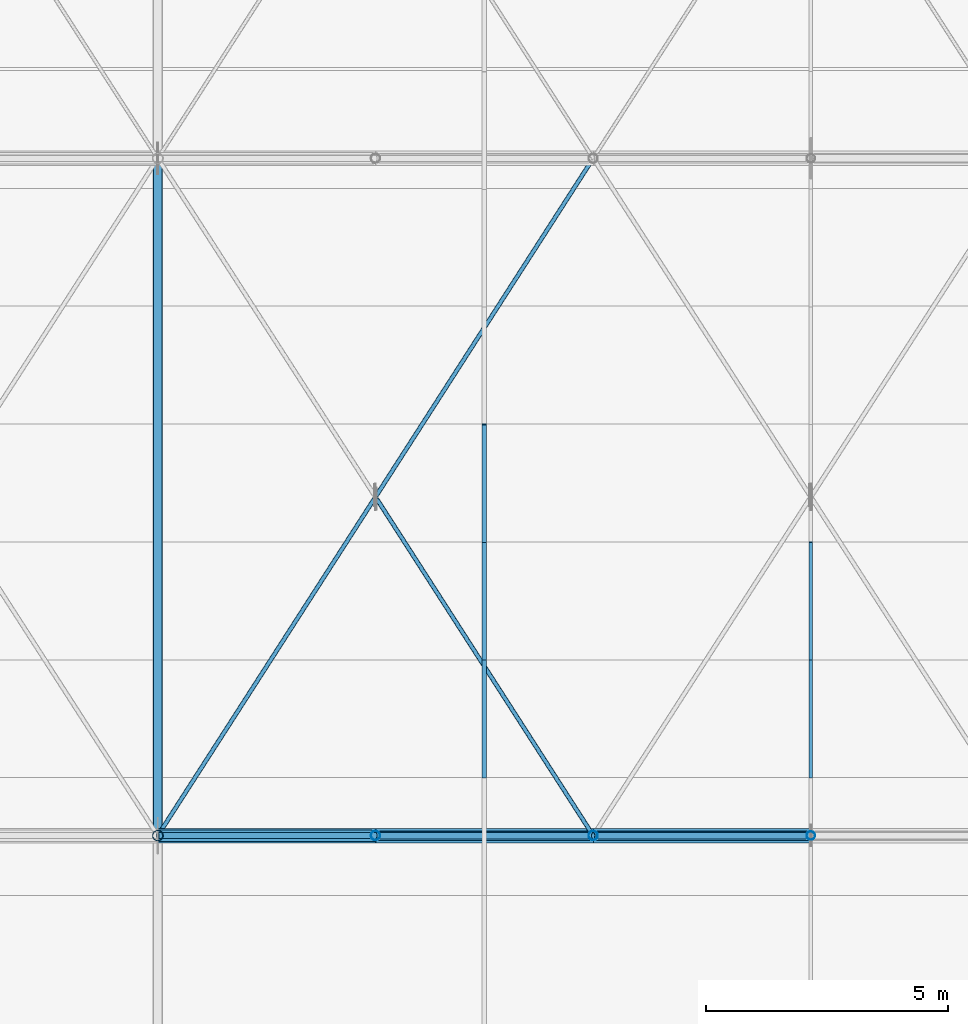
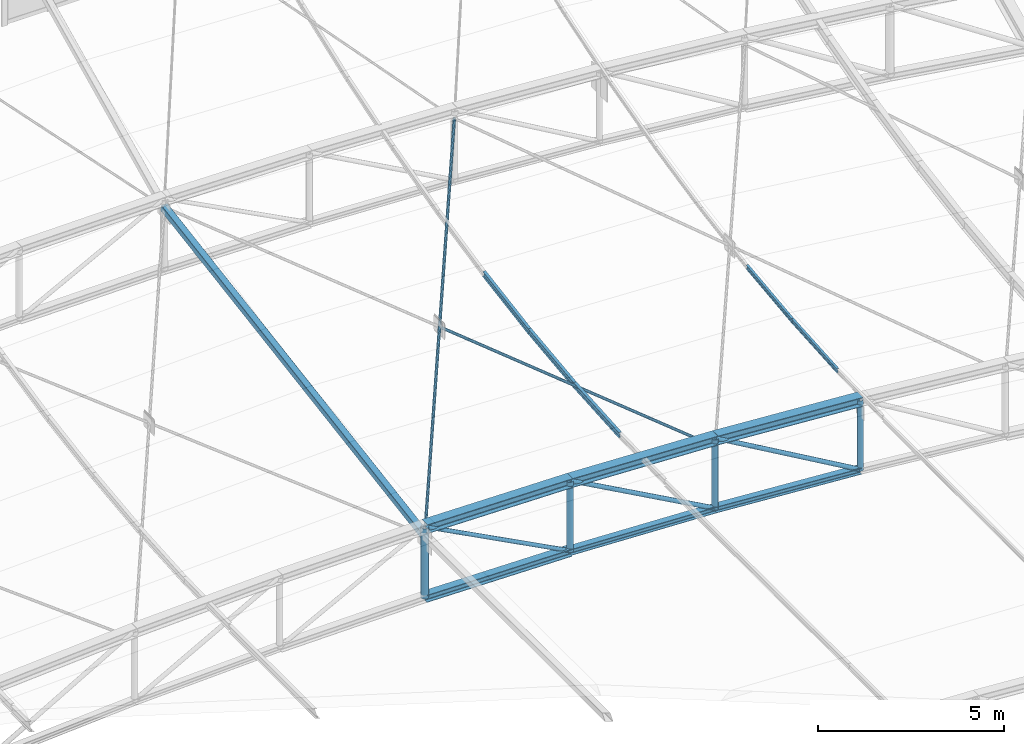
# One storey, part 179 of 262: 21 members.
"""IFC4 building model written with IfcOpenShell, lengths in metres."""

from ifc_helpers import new_model, si_unit, derived_unit, direction, frame, origin, origin_2d, place, context, subcontext, project, spatial, hollow_rectangle, hollow_circle, i_section, extrude, material, material_profile, profile_set, type_object, element, save


model = new_model("IFC4")

# Units and contexts
model_context = context("Model", 3, precision=1e-05, world=origin(), true_north=direction((0.0, 1.0)))
body_context = subcontext(model_context, "Body", "Model", "MODEL_VIEW")
ifc_project = project(units=[si_unit("LENGTHUNIT", "METRE"), si_unit("AREAUNIT", "SQUARE_METRE"), si_unit("VOLUMEUNIT", "CUBIC_METRE"), si_unit("PLANEANGLEUNIT", "RADIAN"), si_unit("MASSUNIT", "GRAM", prefix="KILO"), derived_unit("THERMALTRANSMITTANCEUNIT", [(si_unit("POWERUNIT", "WATT"), 1), (si_unit("LENGTHUNIT", "METRE"), -2), (si_unit("THERMODYNAMICTEMPERATUREUNIT", "KELVIN"), -1)])], contexts=[model_context])

# Site, building, storey
site_placement = place(None, origin())
site = spatial("IfcSite", under=ifc_project, at=site_placement, CompositionType="ELEMENT")
building_placement = place(site_placement, origin())
building = spatial("IfcBuilding", under=site, at=building_placement, Name="Almenara Railside Exhibition Hall", CompositionType="ELEMENT")
storey_placement = place(building_placement, frame((0.0, 0.0, 21.699951171875)))
storey = spatial("IfcBuildingStorey", under=building, at=storey_placement, Name="RF", CompositionType="ELEMENT", Elevation=21.699951171875)

# Members
ifc_material = material(Name="Structural steel S355JR", Category="steel")
ifc_material_profile_1 = material_profile(ifc_material, i_section(OverallWidth=0.239990234375, OverallDepth=0.239990234375, WebThickness=0.010009765625, FlangeThickness=0.01708984375, FilletRadius=0.02099609375, at=origin_2d()), Name="HEB 240")
ifc_profile_set_1 = profile_set([ifc_material_profile_1], Name="Structural steel S355JR")
member_type_1 = type_object("IfcMemberType", Name="Arched Crown Bottom Chord HEB 240 S355JR", PredefinedType="CHORD", material=ifc_profile_set_1)
member_1_placement = place(storey_placement, frame((165.0, 104.0, -7.38525390625), z_axis=(0.999908030213, 0.0, -0.013562120635), x_axis=(0.0, 1.0, 0.0)))
element("IfcMember", 1, at=member_1_placement, inside=storey, type_object=member_type_1, Name="MEM-BC-V2-05-06", PredefinedType="CHORD", context=body_context, shape_type="SweptSolid", body=[
    extrude(i_section(OverallWidth=0.239990234375, OverallDepth=0.239990234375, WebThickness=0.010009765625, FlangeThickness=0.01708984375, FilletRadius=0.02099609375, at=origin_2d()), origin(), (0.0, 0.0, 1.0), 4.50048828125),
])
ifc_material_profile_2 = material_profile(ifc_material, i_section(OverallWidth=0.300048828125, OverallDepth=0.300048828125, WebThickness=0.010986328125, FlangeThickness=0.01904296875, FilletRadius=0.027099609375, at=origin_2d()), Name="HEB 300")
ifc_profile_set_2 = profile_set([ifc_material_profile_2], Name="Structural steel S355JR")
member_type_2 = type_object("IfcMemberType", Name="Arched Inner Top Chord HEB 300 S355JR", PredefinedType="CHORD", material=ifc_profile_set_2)
member_2_placement = place(storey_placement, frame((165.0, 104.0, -5.085205078125), z_axis=(0.999908030213, 0.0, -0.013562120635), x_axis=(0.0, 1.0, 0.0)))
element("IfcMember", 2, at=member_2_placement, inside=storey, type_object=member_type_2, Name="MEM-TC-V2-05-06", PredefinedType="CHORD", context=body_context, shape_type="SweptSolid", body=[
    extrude(i_section(OverallWidth=0.300048828125, OverallDepth=0.300048828125, WebThickness=0.010986328125, FlangeThickness=0.01904296875, FilletRadius=0.027099609375, at=origin_2d()), origin(), (0.0, 0.0, 1.0), 4.50048828125),
])
member_3_placement = place(storey_placement, frame((169.5, 104.0, -5.146240234375), z_axis=(0.99917098071, 0.0, -0.04071057978), x_axis=(0.0, 1.0, 0.0)))
element("IfcMember", 3, at=member_3_placement, inside=storey, type_object=member_type_2, Name="MEM-TC-V2-05-07", PredefinedType="CHORD", context=body_context, shape_type="SweptSolid", body=[
    extrude(i_section(OverallWidth=0.300048828125, OverallDepth=0.300048828125, WebThickness=0.010986328125, FlangeThickness=0.01904296875, FilletRadius=0.027099609375, at=origin_2d()), origin(), (0.0, 0.0, 1.0), 4.503662109375),
])
member_4_placement = place(storey_placement, frame((174.0, 104.0, -5.32958984375), z_axis=(0.997701025897, 0.0, -0.067769188608), x_axis=(0.0, 1.0, 0.0)))
element("IfcMember", 4, at=member_4_placement, inside=storey, type_object=member_type_2, Name="MEM-TC-V2-05-08", PredefinedType="CHORD", context=body_context, shape_type="SweptSolid", body=[
    extrude(i_section(OverallWidth=0.300048828125, OverallDepth=0.300048828125, WebThickness=0.010986328125, FlangeThickness=0.01904296875, FilletRadius=0.027099609375, at=origin_2d()), origin(), (0.0, 0.0, 1.0), 4.51025390625),
])
ifc_material_profile_3 = material_profile(ifc_material, i_section(OverallWidth=0.199951171875, OverallDepth=0.199951171875, WebThickness=0.009033203125, FlangeThickness=0.014892578125, FilletRadius=0.01806640625, at=origin_2d()), Name="HEB 200")
ifc_profile_set_3 = profile_set([ifc_material_profile_3], Name="Structural steel S355JR")
member_type_3 = type_object("IfcMemberType", Name="Canopy Collar Chord HEB 200 S355JR", PredefinedType="CHORD", material=ifc_profile_set_3)
member_5_placement = place(storey_placement, frame((169.5, 104.0, -7.4462890625), z_axis=(0.99917098071, 0.0, -0.04071057978), x_axis=(0.0, 1.0, 0.0)))
element("IfcMember", 5, at=member_5_placement, inside=storey, type_object=member_type_3, Name="MEM-BC-V2-05-07", PredefinedType="CHORD", context=body_context, shape_type="SweptSolid", body=[
    extrude(i_section(OverallWidth=0.199951171875, OverallDepth=0.199951171875, WebThickness=0.009033203125, FlangeThickness=0.014892578125, FilletRadius=0.01806640625, at=origin_2d()), origin(), (0.0, 0.0, 1.0), 4.503662109375),
])
member_6_placement = place(storey_placement, frame((174.0, 104.0, -7.629638671875), z_axis=(0.997704684283, 0.0, -0.067715308162), x_axis=(0.0, 1.0, 0.0)))
element("IfcMember", 6, at=member_6_placement, inside=storey, type_object=member_type_3, Name="MEM-BC-V2-05-08", PredefinedType="CHORD", context=body_context, shape_type="SweptSolid", body=[
    extrude(i_section(OverallWidth=0.199951171875, OverallDepth=0.199951171875, WebThickness=0.009033203125, FlangeThickness=0.014892578125, FilletRadius=0.01806640625, at=origin_2d()), origin(), (0.0, 0.0, 1.0), 4.51025390625),
])
ifc_material_profile_4 = material_profile(ifc_material, i_section(OverallWidth=0.072998046875, OverallDepth=0.139892578125, WebThickness=0.004638671875, FlangeThickness=0.0068359375, FilletRadius=0.007080078125, at=origin_2d()), Name="IPE 140")
ifc_profile_set_4 = profile_set([ifc_material_profile_4], Name="Structural steel S355JR")
member_type_4 = type_object("IfcMemberType", Name="Canopy Edge Purlin IPE 140 S355JR", PredefinedType="PURLIN", material=ifc_profile_set_4)
member_7_placement = place(storey_placement, frame((178.5, 105.1962890625, -5.42431640625), z_axis=(0.0, 0.997521719737, 0.070359211571), x_axis=(-1.0, 0.0, 0.0)))
element("IfcMember", 7, at=member_7_placement, inside=storey, type_object=member_type_4, Name="MEM-PR-V2-PR-IPE140-06-17", PredefinedType="PURLIN", context=body_context, shape_type="SweptSolid", body=[
    extrude(i_section(OverallWidth=0.072998046875, OverallDepth=0.139892578125, WebThickness=0.004638671875, FlangeThickness=0.0068359375, FilletRadius=0.007080078125, at=origin_2d()), origin(), (0.0, 0.0, 1.0), 2.44287109375),
])
member_8_placement = place(storey_placement, frame((178.5, 107.633056640625, -5.253662109375), z_axis=(0.0, 0.993105700961, 0.117222296166), x_axis=(-1.0, 0.0, 0.0)))
element("IfcMember", 8, at=member_8_placement, inside=storey, type_object=member_type_4, Name="MEM-PR-V2-PR-IPE140-06-18", PredefinedType="PURLIN", context=body_context, shape_type="SweptSolid", body=[
    extrude(i_section(OverallWidth=0.072998046875, OverallDepth=0.139892578125, WebThickness=0.004638671875, FlangeThickness=0.0068359375, FilletRadius=0.007080078125, at=origin_2d()), origin(), (0.0, 0.0, 1.0), 2.453369140625),
])
ifc_material_profile_5 = material_profile(ifc_material, hollow_circle(Radius=0.04443359375, WallThickness=0.00390625, at=origin_2d()), Name="CHS 88.9x4")
ifc_profile_set_5 = profile_set([ifc_material_profile_5], Name="Structural steel S355JR")
member_type_5 = type_object("IfcMemberType", Name="Canopy Tie Brace CHS 88.9x4 S355JR", PredefinedType="BRACE", material=ifc_profile_set_5)
member_9_placement = place(storey_placement, frame((165.0, 104.0, -5.365234375), z_axis=(0.536801148968, 0.835024009506, 0.120745310526), x_axis=(-0.841178475377, 0.540757591313, 0.0)))
element("IfcMember", 9, at=member_9_placement, inside=storey, type_object=member_type_5, Name="MEM-WB-V2-WB-CHS89-05-06-C", PredefinedType="BRACE", context=body_context, shape_type="SweptSolid", body=[
    extrude(hollow_circle(Radius=0.04443359375, WallThickness=0.00390625, at=origin_2d()), origin(), (0.0, 0.0, 1.0), 16.765869140625),
])
member_10_placement = place(storey_placement, frame((174.0, 104.0, -5.609619140625), z_axis=(-0.534698316406, 0.831749694739, 0.149298880555), x_axis=(-0.84117751664, -0.540759082679, 0.0)))
element("IfcMember", 10, at=member_10_placement, inside=storey, type_object=member_type_5, Name="MEM-WB-V2-WB-CHS89-05-06-S1", PredefinedType="BRACE", context=body_context, shape_type="SweptSolid", body=[
    extrude(hollow_circle(Radius=0.04443359375, WallThickness=0.00390625, at=origin_2d()), origin(), (0.0, 0.0, 1.0), 8.36767578125),
])
ifc_material_profile_6 = material_profile(ifc_material, hollow_rectangle(XDim=0.199951171875, YDim=0.199951171875, WallThickness=0.008056640625, InnerFilletRadius=0.008056640625, OuterFilletRadius=0.01611328125, at=origin_2d()), Name="SHS 200x200x8")
ifc_profile_set_6 = profile_set([ifc_material_profile_6], Name="Structural steel S355JR")
member_type_6 = type_object("IfcMemberType", Name="Eaves Sway Strut SHS 200x200x8 S355JR", PredefinedType="BRACE", material=ifc_profile_set_6)
member_11_placement = place(storey_placement, frame((165.0, 104.0, -5.365234375), z_axis=(0.0, 0.987121865727, 0.159970066584), x_axis=(-1.0, 0.0, 0.0)))
element("IfcMember", 11, at=member_11_placement, inside=storey, type_object=member_type_6, Name="MEM-ES-V2-05", PredefinedType="BRACE", context=body_context, shape_type="SweptSolid", body=[
    extrude(hollow_rectangle(XDim=0.199951171875, YDim=0.199951171875, WallThickness=0.008056640625, InnerFilletRadius=0.008056640625, OuterFilletRadius=0.01611328125, at=origin_2d()), origin(), (0.0, 0.0, 1.0), 14.1826171875),
])
ifc_material_profile_7 = material_profile(ifc_material, i_section(OverallWidth=0.091064453125, OverallDepth=0.179931640625, WebThickness=0.00537109375, FlangeThickness=0.008056640625, FilletRadius=0.009033203125, at=origin_2d()), Name="IPE 180")
ifc_profile_set_7 = profile_set([ifc_material_profile_7], Name="Structural steel S355JR")
member_type_7 = type_object("IfcMemberType", Name="Plenary Roof Purlin IPE 180 S355JR", PredefinedType="PURLIN", material=ifc_profile_set_7)
member_12_placement = place(storey_placement, frame((171.75, 105.1962890625, -5.16796875), z_axis=(0.0, 0.997528729247, 0.070259763216), x_axis=(-1.0, 0.0, 0.0)))
element("IfcMember", 12, at=member_12_placement, inside=storey, type_object=member_type_7, Name="MEM-PR-V2-PR-IPE180-05-17", PredefinedType="PURLIN", context=body_context, shape_type="SweptSolid", body=[
    extrude(i_section(OverallWidth=0.091064453125, OverallDepth=0.179931640625, WebThickness=0.00537109375, FlangeThickness=0.008056640625, FilletRadius=0.009033203125, at=origin_2d()), origin(), (0.0, 0.0, 1.0), 2.44287109375),
])
member_13_placement = place(storey_placement, frame((171.75, 107.633056640625, -4.99755859375), z_axis=(0.0, 0.993105700961, 0.117222296166), x_axis=(-1.0, 0.0, 0.0)))
element("IfcMember", 13, at=member_13_placement, inside=storey, type_object=member_type_7, Name="MEM-PR-V2-PR-IPE180-05-18", PredefinedType="PURLIN", context=body_context, shape_type="SweptSolid", body=[
    extrude(i_section(OverallWidth=0.091064453125, OverallDepth=0.179931640625, WebThickness=0.00537109375, FlangeThickness=0.008056640625, FilletRadius=0.009033203125, at=origin_2d()), origin(), (0.0, 0.0, 1.0), 2.453369140625),
])
member_14_placement = place(storey_placement, frame((171.75, 110.069580078125, -4.7119140625), z_axis=(0.0, 0.986449960692, 0.164062412058), x_axis=(-1.0, 0.0, 0.0)))
element("IfcMember", 14, at=member_14_placement, inside=storey, type_object=member_type_7, Name="MEM-PR-V2-PR-IPE180-05-19", PredefinedType="PURLIN", context=body_context, shape_type="SweptSolid", body=[
    extrude(i_section(OverallWidth=0.091064453125, OverallDepth=0.179931640625, WebThickness=0.00537109375, FlangeThickness=0.008056640625, FilletRadius=0.009033203125, at=origin_2d()), origin(), (0.0, 0.0, 1.0), 2.47021484375),
])
ifc_material_profile_8 = material_profile(ifc_material, hollow_circle(Radius=0.0634765625, WallThickness=0.00439453125, at=origin_2d()), Name="CHS 127.0x4.5")
ifc_profile_set_8 = profile_set([ifc_material_profile_8], Name="Structural steel S355JR")
member_type_8 = type_object("IfcMemberType", Name="Truss Crown Diagonal CHS 127.0x4.5 S355JR", PredefinedType="BRACE", material=ifc_profile_set_8)
member_15_placement = place(storey_placement, frame((165.0, 104.0, -5.085205078125), z_axis=(0.885512555589, 0.0, -0.464615447326), x_axis=(0.0, 1.0, 0.0)))
element("IfcMember", 15, at=member_15_placement, inside=storey, type_object=member_type_8, Name="MEM-TD-V2-05-06", PredefinedType="BRACE", context=body_context, shape_type="SweptSolid", body=[
    extrude(hollow_circle(Radius=0.0634765625, WallThickness=0.00439453125, at=origin_2d()), origin(), (0.0, 0.0, 1.0), 5.081787109375),
])
ifc_material_profile_9 = material_profile(ifc_material, hollow_circle(Radius=0.06982421875, WallThickness=0.0048828125, at=origin_2d()), Name="CHS 139.7x5")
ifc_profile_set_9 = profile_set([ifc_material_profile_9], Name="Structural steel S355JR")
member_type_9 = type_object("IfcMemberType", Name="Truss Inner Diagonal CHS 139.7x5 S355JR", PredefinedType="BRACE", material=ifc_profile_set_9)
member_16_placement = place(storey_placement, frame((169.5, 104.0, -5.146240234375), z_axis=(0.875525025835, 0.0, -0.483172773589), x_axis=(0.0, 1.0, 0.0)))
element("IfcMember", 16, at=member_16_placement, inside=storey, type_object=member_type_9, Name="MEM-TD-V2-05-07", PredefinedType="BRACE", context=body_context, shape_type="SweptSolid", body=[
    extrude(hollow_circle(Radius=0.06982421875, WallThickness=0.0048828125, at=origin_2d()), origin(), (0.0, 0.0, 1.0), 5.139892578125),
])
member_17_placement = place(storey_placement, frame((174.0, 104.0, -5.32958984375), z_axis=(0.865409140876, 0.0, -0.501065882782), x_axis=(0.0, 1.0, 0.0)))
element("IfcMember", 17, at=member_17_placement, inside=storey, type_object=member_type_9, Name="MEM-TD-V2-05-08", PredefinedType="BRACE", context=body_context, shape_type="SweptSolid", body=[
    extrude(hollow_circle(Radius=0.06982421875, WallThickness=0.0048828125, at=origin_2d()), origin(), (0.0, 0.0, 1.0), 5.199951171875),
])
ifc_material_profile_10 = material_profile(ifc_material, hollow_circle(Radius=0.109619140625, WallThickness=0.008056640625, at=origin_2d()), Name="CHS 219.1x8")
ifc_profile_set_10 = profile_set([ifc_material_profile_10], Name="Structural steel S355JR")
member_type_10 = type_object("IfcMemberType", Name="Truss Primary Vertical Strut CHS 219.1x8 S355JR", PredefinedType="BRACE", material=ifc_profile_set_10)
member_18_placement = place(storey_placement, frame((165.0, 104.0, -7.38525390625), z_axis=(0.0, 0.0, 1.0), x_axis=(1.0, 0.0, 0.0)))
element("IfcMember", 18, at=member_18_placement, inside=storey, type_object=member_type_10, Name="MEM-TV-V2-05-06", PredefinedType="BRACE", context=body_context, shape_type="SweptSolid", body=[
    extrude(hollow_circle(Radius=0.109619140625, WallThickness=0.008056640625, at=origin_2d()), origin(), (0.0, 0.0, 1.0), 2.300048828125),
])
ifc_material_profile_11 = material_profile(ifc_material, hollow_circle(Radius=0.0888671875, WallThickness=0.006103515625, at=origin_2d()), Name="CHS 177.8x6")
ifc_profile_set_11 = profile_set([ifc_material_profile_11], Name="Structural steel S355JR")
member_type_11 = type_object("IfcMemberType", Name="Truss Quarter Vertical Strut CHS 177.8x6 S355JR", PredefinedType="BRACE", material=ifc_profile_set_11)
member_19_placement = place(storey_placement, frame((178.5, 104.0, -7.93505859375), z_axis=(0.0, 0.0, 1.0), x_axis=(1.0, 0.0, 0.0)))
element("IfcMember", 19, at=member_19_placement, inside=storey, type_object=member_type_11, Name="MEM-TV-V2-05-09", PredefinedType="BRACE", context=body_context, shape_type="SweptSolid", body=[
    extrude(hollow_circle(Radius=0.0888671875, WallThickness=0.006103515625, at=origin_2d()), origin(), (0.0, 0.0, 1.0), 2.2998046875),
])
ifc_material_profile_12 = material_profile(ifc_material, hollow_circle(Radius=0.096923828125, WallThickness=0.00634765625, at=origin_2d()), Name="CHS 193.7x6.3")
ifc_profile_set_12 = profile_set([ifc_material_profile_12], Name="Structural steel S355JR")
member_type_12 = type_object("IfcMemberType", Name="Truss Standard Vertical Strut CHS 193.7x6.3 S355JR", PredefinedType="BRACE", material=ifc_profile_set_12)
for number, where, z_axis, x_axis, name in (
    (20, (169.5, 104.0, -7.4462890625), (0.0, 0.0, 1.0), (1.0, 0.0, 0.0), "MEM-TV-V2-05-07"),
    (21, (174.0, 104.0, -7.629638671875), (0.0, 0.0, 1.0), (1.0, 0.0, 0.0), "MEM-TV-V2-05-08"),
):
    element("IfcMember", number, at=place(storey_placement, frame(where, z_axis=z_axis, x_axis=x_axis)), inside=storey, type_object=member_type_12, Name=name, PredefinedType="BRACE", context=body_context, shape_type="SweptSolid", body=[
        extrude(hollow_circle(Radius=0.096923828125, WallThickness=0.00634765625, at=origin_2d()), origin(), (0.0, 0.0, 1.0), 2.300048828125),
    ])

save(model, "model.ifc")
